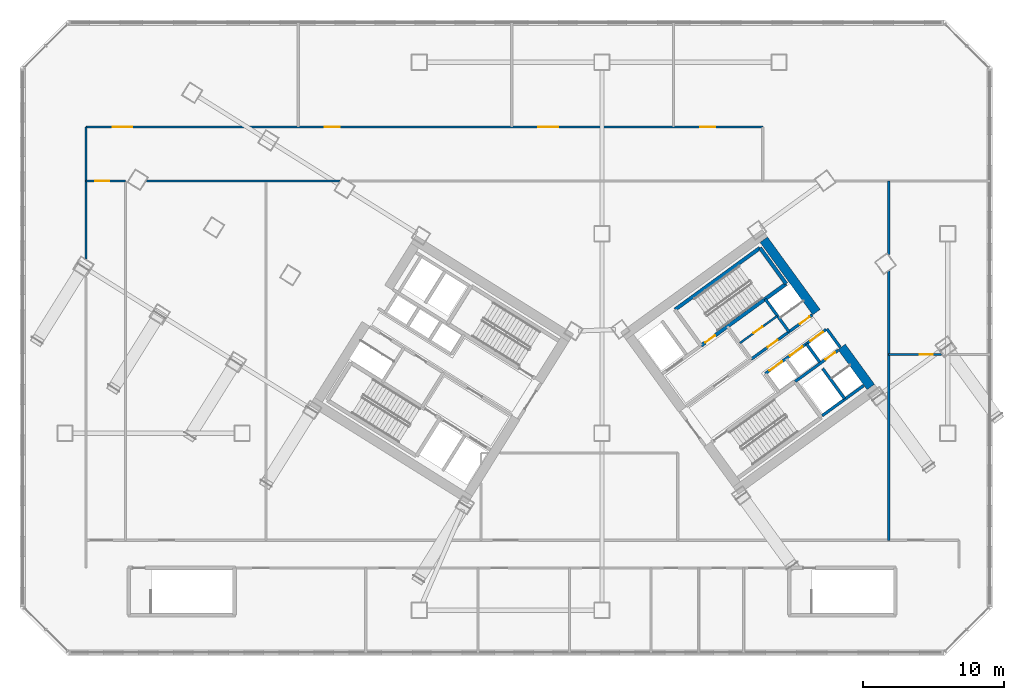
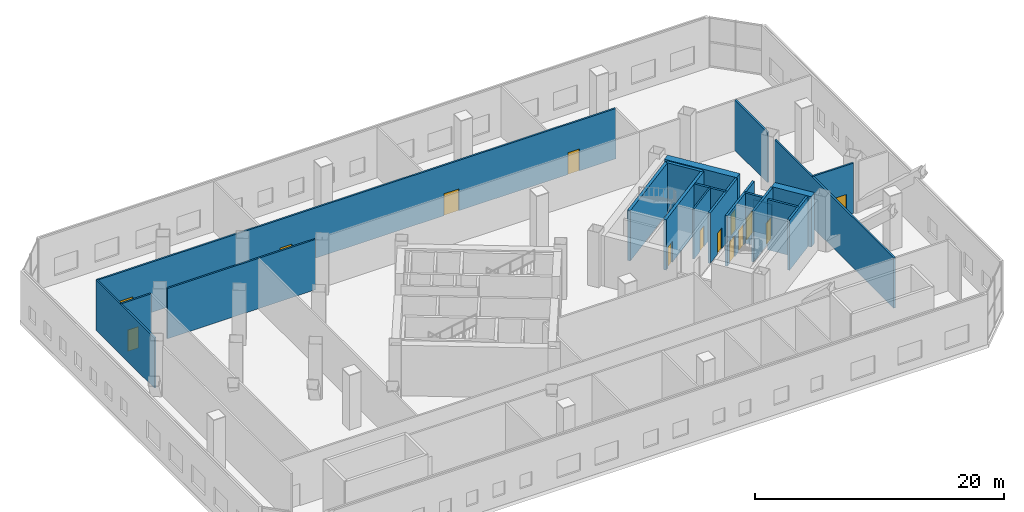
# One storey, part 16 of 23: 21 walls, 14 doors, 14 openings.
"""IFC4 building model written with IfcOpenShell, lengths in metres."""

from ifc_helpers import new_model, si_unit, direction, frame, frame_2d, origin, place, context, subcontext, project, spatial, rectangle, extrude, source, transform, mapped, material, layer, layer_set, type_object, element, fill, save


model = new_model("IFC4")

# Units and contexts
model_context = context("Model", 3, precision=1e-05, world=origin(), true_north=direction((0.0, 1.0)))
body_context = subcontext(model_context, "Body", "Model", "MODEL_VIEW")
ifc_project = project(units=[si_unit("LENGTHUNIT", "METRE"), si_unit("AREAUNIT", "SQUARE_METRE"), si_unit("VOLUMEUNIT", "CUBIC_METRE"), si_unit("PLANEANGLEUNIT", "RADIAN"), si_unit("MASSUNIT", "GRAM", prefix="KILO")], contexts=[model_context])

# Site, building, storey
site_placement = place(None, origin())
site = spatial("IfcSite", under=ifc_project, at=site_placement, CompositionType="ELEMENT")
building_placement = place(site_placement, origin())
building = spatial("IfcBuilding", under=site, at=building_placement, Name="Tlacorven Tower", CompositionType="ELEMENT")
storey_placement = place(building_placement, frame((0.0, 0.0, 18.60009765625)))
storey = spatial("IfcBuildingStorey", under=building, at=storey_placement, Name="L04", CompositionType="ELEMENT", Elevation=18.60009765625)

# Walls
ifc_material_1 = material(Name="Concrete C60/75", Category="concrete")
ifc_layer_1 = layer(ifc_material_1, 0.64990234375)
ifc_layer_set_1 = layer_set([ifc_layer_1], Name="Concrete C60/75")
wall_type_1 = type_object("IfcWallType", Name="WL-COR-650", PredefinedType="SHEAR", material=ifc_layer_set_1)
wall_1_placement = place(storey_placement, frame((61.9287109375, 20.494384765625, 0.0), z_axis=(0.0, 0.0, 1.0), x_axis=(-0.58782982593, 0.808984607855, 0.0)))
element("IfcWall", 1, at=wall_1_placement, inside=storey, type_object=wall_type_1, Name="L04 E core end wall E2.1", PredefinedType="SHEAR", context=body_context, shape_type="SweptSolid", body=[
    extrude(rectangle(XDim=3.52490234375, YDim=0.64990234375, at=frame_2d((1.762451171875, 0.0))), origin(), (0.0, 0.0, 1.0), 4.949951171875),
])
wall_2_placement = place(storey_placement, frame((58.06396484375, 25.8134765625, 0.0), z_axis=(0.0, 0.0, 1.0), x_axis=(-0.58777996584, 0.809020835181, 0.0)))
element("IfcWall", 2, at=wall_2_placement, inside=storey, type_object=wall_type_1, Name="L04 E core end wall E2.2", PredefinedType="SHEAR", context=body_context, shape_type="SweptSolid", body=[
    extrude(rectangle(XDim=6.375, YDim=0.64990234375, at=frame_2d((3.1875, 0.0))), origin(), (0.0, 0.0, 1.0), 4.949951171875),
])
ifc_material_2 = material(Name="Gypsum plasterboard acoustic partition", Category="gypsum")
ifc_layer_2 = layer(ifc_material_2, 0.159912109375)
ifc_layer_set_2 = layer_set([ifc_layer_2], Name="Gypsum plasterboard acoustic partition")
wall_type_2 = type_object("IfcWallType", Name="WL-DEM-160", PredefinedType="PARTITIONING", material=ifc_layer_set_2)
wall_3_placement = place(storey_placement, frame((6.10009765625, 29.58740234375, 0.0), z_axis=(0.0, 0.0, 1.0), x_axis=(0.0, 1.0, 0.0)))
element("IfcWall", 3, at=wall_3_placement, inside=storey, type_object=wall_type_2, Name="L04 partition 73", PredefinedType="PARTITIONING", context=body_context, shape_type="SweptSolid", body=[
    extrude(rectangle(XDim=9.41259765625, YDim=0.159912109375, at=frame_2d((4.706298828125, 0.0))), origin(), (0.0, 0.0, 1.0), 4.93994140625),
])
wall_4_placement = place(storey_placement, frame((10.386474609375, 35.14990234375, 0.0), z_axis=(0.0, 0.0, 1.0), x_axis=(1.0, 0.0, 0.0)))
element("IfcWall", 4, at=wall_4_placement, inside=storey, type_object=wall_type_2, Name="L04 partition 75", PredefinedType="PARTITIONING", context=body_context, shape_type="SweptSolid", body=[
    extrude(rectangle(XDim=13.76806640625, YDim=0.159912109375, at=frame_2d((6.884033203125, 0.0))), origin(), (0.0, 0.0, 1.0), 4.93994140625),
])

# Wall, openings, doors
wall_5_placement = place(storey_placement, frame((6.10009765625, 38.97998046875, 0.0), z_axis=(0.0, 0.0, 1.0), x_axis=(1.0, 0.0, 0.0)))
wall_5 = element("IfcWall", 5, at=wall_5_placement, inside=storey, type_object=wall_type_2, Name="L04 partition 76", PredefinedType="PARTITIONING", context=body_context, shape_type="SweptSolid", body=[
    extrude(rectangle(XDim=48.14990234375, YDim=0.159912109375, at=frame_2d((24.074951171875, 0.0))), origin(), (0.0, 0.0, 1.0), 4.93994140625),
])
opening_1_placement = place(wall_5_placement, frame((1.89990234375, 0.0, 0.0)))
opening_1 = element("IfcOpeningElement", 6, at=opening_1_placement, cuts=wall_5, Name="Opening D16", PredefinedType="OPENING", context=body_context, shape_type="SweptSolid", body=[
    extrude(rectangle(XDim=1.39990234375, YDim=2.14990234375, at=frame_2d((0.699951171875, 1.074951171875))), frame((0.0, 0.08984375, 0.0), z_axis=(0.0, -1.0, 0.0), x_axis=(1.0, 0.0, 0.0)), (0.0, 0.0, 1.0), 0.179931640625),
])
opening_2_placement = place(wall_5_placement, frame((16.97998046875, 0.0, 0.0)))
opening_2 = element("IfcOpeningElement", 7, at=opening_2_placement, cuts=wall_5, Name="Opening D15", PredefinedType="OPENING", context=body_context, shape_type="SweptSolid", body=[
    extrude(rectangle(XDim=1.080078125, YDim=2.14990234375, at=frame_2d((0.5400390625, 1.074951171875))), frame((0.0, 0.08984375, 0.0), z_axis=(0.0, -1.0, 0.0), x_axis=(1.0, 0.0, 0.0)), (0.0, 0.0, 1.0), 0.179931640625),
])
opening_3_placement = place(wall_5_placement, frame((32.179931640625, 0.0, 0.0)))
opening_3 = element("IfcOpeningElement", 8, at=opening_3_placement, cuts=wall_5, Name="Opening D16", PredefinedType="OPENING", context=body_context, shape_type="SweptSolid", body=[
    extrude(rectangle(XDim=1.39990234375, YDim=2.14990234375, at=frame_2d((0.699951171875, 1.074951171875))), frame((0.0, 0.08984375, 0.0), z_axis=(0.0, -1.0, 0.0), x_axis=(1.0, 0.0, 0.0)), (0.0, 0.0, 1.0), 0.179931640625),
])
opening_4_placement = place(wall_5_placement, frame((43.679931640625, 0.0, 0.0)))
opening_4 = element("IfcOpeningElement", 9, at=opening_4_placement, cuts=wall_5, Name="Opening D15", PredefinedType="OPENING", context=body_context, shape_type="SweptSolid", body=[
    extrude(rectangle(XDim=1.080078125, YDim=2.14990234375, at=frame_2d((0.5400390625, 1.074951171875))), frame((0.0, 0.08984375, 0.0), z_axis=(0.0, -1.0, 0.0), x_axis=(1.0, 0.0, 0.0)), (0.0, 0.0, 1.0), 0.179931640625),
])
ifc_material_3 = material(Name="Fire-rated steel door assembly", Category="steel")
door_type_1 = type_object("IfcDoorType", Name="DR-CLN-IMAG-1400", OperationType="DOUBLE_DOOR_SINGLE_SWING", PredefinedType="DOOR", material=ifc_material_3)
shared_shape_1 = source(origin(), body_context, "Body", "SweptSolid", [
    extrude(rectangle(XDim=1.39990234375, YDim=2.14990234375, at=frame_2d((0.699951171875, 1.074951171875))), frame((0.0, 0.02490234375, 0.0), z_axis=(0.0, -1.0, 0.0), x_axis=(1.0, 0.0, 0.0)), (0.0, 0.0, 1.0), 0.050048828125),
])
door_1_placement = place(opening_1_placement, origin())
door_1 = element("IfcDoor", 10, at=door_1_placement, inside=storey, type_object=door_type_1, Name="L04 door 033", OperationType="DOUBLE_DOOR_SINGLE_SWING", OverallHeight=2.14990234375, OverallWidth=1.39990234375, PredefinedType="DOOR", context=body_context, shape_type="MappedRepresentation", body=[
    mapped(shared_shape_1, transform((0.0, 0.0, 0.0), scale=1.0)),
])
fill(opening_1, door_1)
door_2_placement = place(opening_3_placement, origin())
door_2 = element("IfcDoor", 11, at=door_2_placement, inside=storey, type_object=door_type_1, Name="L04 door 035", OperationType="DOUBLE_DOOR_SINGLE_SWING", OverallHeight=2.14990234375, OverallWidth=1.39990234375, PredefinedType="DOOR", context=body_context, shape_type="MappedRepresentation", body=[
    mapped(shared_shape_1, transform((0.0, 0.0, 0.0), scale=1.0)),
])
fill(opening_3, door_2)
door_type_2 = type_object("IfcDoorType", Name="DR-CLN-CONS-1080", OperationType="NOTDEFINED", PredefinedType="DOOR", material=ifc_material_3)
shared_shape_2 = source(origin(), body_context, "Body", "SweptSolid", [
    extrude(rectangle(XDim=1.080078125, YDim=2.14990234375, at=frame_2d((0.5400390625, 1.074951171875))), frame((0.0, 0.02490234375, 0.0), z_axis=(0.0, -1.0, 0.0), x_axis=(1.0, 0.0, 0.0)), (0.0, 0.0, 1.0), 0.050048828125),
])
door_3_placement = place(opening_2_placement, origin())
door_3 = element("IfcDoor", 12, at=door_3_placement, inside=storey, type_object=door_type_2, Name="L04 door 034", OperationType="SINGLE_SWING_RIGHT", OverallHeight=2.14990234375, OverallWidth=1.080078125, PredefinedType="DOOR", context=body_context, shape_type="MappedRepresentation", body=[
    mapped(shared_shape_2, transform((0.0, 0.0, 0.0), scale=1.0)),
])
fill(opening_2, door_3)
door_4_placement = place(opening_4_placement, origin())
door_4 = element("IfcDoor", 13, at=door_4_placement, inside=storey, type_object=door_type_2, Name="L04 door 036", OperationType="SINGLE_SWING_LEFT", OverallHeight=2.14990234375, OverallWidth=1.080078125, PredefinedType="DOOR", context=body_context, shape_type="MappedRepresentation", body=[
    mapped(shared_shape_2, transform((0.0, 0.0, 0.0), scale=1.0)),
])
fill(opening_4, door_4)

# Wall, opening, door
wall_6_placement = place(storey_placement, frame((6.10009765625, 35.14990234375, 0.0), z_axis=(0.0, 0.0, 1.0), x_axis=(1.0, 0.0, 0.0)))
wall_6 = element("IfcWall", 14, at=wall_6_placement, inside=storey, type_object=wall_type_2, Name="L04 partition 78", PredefinedType="PARTITIONING", context=body_context, shape_type="SweptSolid", body=[
    extrude(rectangle(XDim=2.7998046875, YDim=0.159912109375, at=frame_2d((1.39990234375, 0.0))), origin(), (0.0, 0.0, 1.0), 4.93994140625),
])
opening_5_placement = place(wall_6_placement, frame((0.64990234375, 0.0, 0.0)))
opening_5 = element("IfcOpeningElement", 15, at=opening_5_placement, cuts=wall_6, Name="Opening D11", PredefinedType="OPENING", context=body_context, shape_type="SweptSolid", body=[
    extrude(rectangle(XDim=1.0, YDim=2.10009765625, at=frame_2d((0.5, 1.050048828125))), frame((0.0, 0.08984375, 0.0), z_axis=(0.0, -1.0, 0.0), x_axis=(1.0, 0.0, 0.0)), (0.0, 0.0, 1.0), 0.179931640625),
])
door_type_3 = type_object("IfcDoorType", Name="DR-FLT-FD60-1000", OperationType="NOTDEFINED", PredefinedType="DOOR", material=ifc_material_3)
shared_shape_3 = source(origin(), body_context, "Body", "SweptSolid", [
    extrude(rectangle(XDim=1.0, YDim=2.10009765625, at=frame_2d((0.5, 1.050048828125))), frame((0.0, 0.02490234375, 0.0), z_axis=(0.0, -1.0, 0.0), x_axis=(1.0, 0.0, 0.0)), (0.0, 0.0, 1.0), 0.050048828125),
])
door_5_placement = place(opening_5_placement, origin())
door_5 = element("IfcDoor", 16, at=door_5_placement, inside=storey, type_object=door_type_3, Name="L04 door 032", OperationType="SINGLE_SWING_LEFT", OverallHeight=2.10009765625, OverallWidth=1.0, PredefinedType="DOOR", context=body_context, shape_type="MappedRepresentation", body=[
    mapped(shared_shape_3, transform((0.0, 0.0, 0.0), scale=1.0)),
])
fill(opening_5, door_5)

# Walls
wall_7_placement = place(storey_placement, frame((63.199951171875, 9.580078125, 0.0), z_axis=(0.0, 0.0, 1.0), x_axis=(0.0, 1.0, 0.0)))
element("IfcWall", 17, at=wall_7_placement, inside=storey, type_object=wall_type_2, Name="L04 partition 83", PredefinedType="PARTITIONING", context=body_context, shape_type="SweptSolid", body=[
    extrude(rectangle(XDim=19.146728515625, YDim=0.159912109375, at=frame_2d((9.5732421875, 0.0))), origin(), (0.0, 0.0, 1.0), 4.93994140625),
])
wall_8_placement = place(storey_placement, frame((63.199951171875, 29.908447265625, 0.0), z_axis=(0.0, 0.0, 1.0), x_axis=(0.0, 1.0, 0.0)))
element("IfcWall", 18, at=wall_8_placement, inside=storey, type_object=wall_type_2, Name="L04 partition 83", PredefinedType="PARTITIONING", context=body_context, shape_type="SweptSolid", body=[
    extrude(rectangle(XDim=5.241455078125, YDim=0.159912109375, at=frame_2d((2.62060546875, 0.0))), origin(), (0.0, 0.0, 1.0), 4.93994140625),
])

# Wall, opening, door
wall_9_placement = place(storey_placement, frame((63.199951171875, 22.800048828125, 0.0), z_axis=(0.0, 0.0, 1.0), x_axis=(1.0, 0.0, 0.0)))
wall_9 = element("IfcWall", 19, at=wall_9_placement, inside=storey, type_object=wall_type_2, Name="L04 partition 86", PredefinedType="PARTITIONING", context=body_context, shape_type="SweptSolid", body=[
    extrude(rectangle(XDim=3.775390625, YDim=0.159912109375, at=frame_2d((1.8876953125, 0.0))), origin(), (0.0, 0.0, 1.0), 4.93994140625),
])
opening_6_placement = place(wall_9_placement, frame((2.199951171875, 0.0, 0.0)))
opening_6 = element("IfcOpeningElement", 20, at=opening_6_placement, cuts=wall_9, Name="Opening D12", PredefinedType="OPENING", context=body_context, shape_type="SweptSolid", body=[
    extrude(rectangle(XDim=0.919921875, YDim=2.080078125, at=frame_2d((0.4599609375, 1.0400390625))), frame((0.0, 0.08984375, 0.0), z_axis=(0.0, -1.0, 0.0), x_axis=(1.0, 0.0, 0.0)), (0.0, 0.0, 1.0), 0.179931640625),
])
ifc_material_4 = material(Name="Powder-coated aluminium and timber door", Category="wood")
door_type_4 = type_object("IfcDoorType", Name="DR-INT-ROOM-0920", OperationType="NOTDEFINED", PredefinedType="DOOR", material=ifc_material_4)
shared_shape_4 = source(origin(), body_context, "Body", "SweptSolid", [
    extrude(rectangle(XDim=0.919921875, YDim=2.080078125, at=frame_2d((0.4599609375, 1.0400390625))), frame((0.0, 0.02490234375, 0.0), z_axis=(0.0, -1.0, 0.0), x_axis=(1.0, 0.0, 0.0)), (0.0, 0.0, 1.0), 0.050048828125),
])
door_6_placement = place(opening_6_placement, origin())
door_6 = element("IfcDoor", 21, at=door_6_placement, inside=storey, type_object=door_type_4, Name="L04 door 039", OperationType="SINGLE_SWING_LEFT", OverallHeight=2.080078125, OverallWidth=0.919921875, PredefinedType="DOOR", context=body_context, shape_type="MappedRepresentation", body=[
    mapped(shared_shape_4, transform((0.0, 0.0, 0.0), scale=1.0)),
])
fill(opening_6, door_6)

ifc_material_5 = material(Name="Moisture-resistant gypsum plumbing wall", Category="gypsum")
ifc_layer_3 = layer(ifc_material_5, 0.139892578125)
ifc_layer_set_3 = layer_set([ifc_layer_3], Name="Moisture-resistant gypsum plumbing wall")
wall_type_3 = type_object("IfcWallType", Name="WL-PLM-140", PredefinedType="PLUMBINGWALL", material=ifc_layer_set_3)
wall_10_placement = place(storey_placement, frame((52.617919921875, 23.612060546875, 0.0), z_axis=(0.0, 0.0, 1.0), x_axis=(0.809009587469, 0.587795446889, 0.0)))
wall_10 = element("IfcWall", 22, at=wall_10_placement, inside=storey, type_object=wall_type_3, Name="L04 partition 51", PredefinedType="PLUMBINGWALL", context=body_context, shape_type="SweptSolid", body=[
    extrude(rectangle(XDim=3.280029296875, YDim=0.139892578125, at=frame_2d((1.64013671875, 0.0))), origin(), (0.0, 0.0, 1.0), 4.93994140625),
])
opening_7_placement = place(wall_10_placement, frame((1.199951171875, 0.0, 0.0)))
opening_7 = element("IfcOpeningElement", 23, at=opening_7_placement, cuts=wall_10, Name="Opening D22", PredefinedType="OPENING", context=body_context, shape_type="SweptSolid", body=[
    extrude(rectangle(XDim=0.780029296875, YDim=2.050048828125, at=frame_2d((0.39013671875, 1.02490234375))), frame((0.0, 0.080078125, 0.0), z_axis=(0.0, -1.0, 0.0), x_axis=(1.0, 0.0, 0.0)), (0.0, 0.0, 1.0), 0.159912109375),
])
door_type_5 = type_object("IfcDoorType", Name="DR-INT-WET-0780", OperationType="NOTDEFINED", PredefinedType="DOOR", material=ifc_material_4)
shared_shape_5 = source(origin(), body_context, "Body", "SweptSolid", [
    extrude(rectangle(XDim=0.780029296875, YDim=2.050048828125, at=frame_2d((0.39013671875, 1.02490234375))), frame((0.0, 0.02490234375, 0.0), z_axis=(0.0, -1.0, 0.0), x_axis=(1.0, 0.0, 0.0)), (0.0, 0.0, 1.0), 0.050048828125),
])
door_7_placement = place(opening_7_placement, origin())
door_7 = element("IfcDoor", 24, at=door_7_placement, inside=storey, type_object=door_type_5, Name="L04 door 018", OperationType="SINGLE_SWING_LEFT", OverallHeight=2.050048828125, OverallWidth=0.780029296875, PredefinedType="DOOR", context=body_context, shape_type="MappedRepresentation", body=[
    mapped(shared_shape_5, transform((0.0, 0.0, 0.0), scale=1.0)),
])
fill(opening_7, door_7)

ifc_material_6 = material(Name="Concrete C40/50", Category="concrete")
ifc_layer_4 = layer(ifc_material_6, 0.199951171875)
ifc_layer_set_4 = layer_set([ifc_layer_4], Name="Concrete C40/50")
wall_type_4 = type_object("IfcWallType", Name="WL-SHF-200", PredefinedType="STANDARD", material=ifc_layer_set_4)
wall_11_placement = place(storey_placement, frame((56.552978515625, 20.884033203125, 0.0), z_axis=(0.0, 0.0, 1.0), x_axis=(0.809035789462, 0.587759382205, 0.0)))
wall_11 = element("IfcWall", 25, at=wall_11_placement, inside=storey, type_object=wall_type_4, Name="L04 Core E South Lift Shaft Wall", PredefinedType="STANDARD", context=body_context, shape_type="SweptSolid", body=[
    extrude(rectangle(XDim=3.767822265625, YDim=0.199951171875, at=frame_2d((1.8837890625, 0.0))), origin(), (0.0, 0.0, 1.0), 4.93994140625),
])
opening_8_placement = place(wall_11_placement, frame((2.64990234375, 0.0, 0.0)))
opening_8 = element("IfcOpeningElement", 26, at=opening_8_placement, cuts=wall_11, Name="Opening D19", PredefinedType="OPENING", context=body_context, shape_type="SweptSolid", body=[
    extrude(rectangle(XDim=0.860107421875, YDim=2.050048828125, at=frame_2d((0.43017578125, 1.02490234375))), frame((0.0, 0.10986328125, 0.0), z_axis=(0.0, -1.0, 0.0), x_axis=(1.0, 0.0, 0.0)), (0.0, 0.0, 1.0), 0.219970703125),
])
door_type_6 = type_object("IfcDoorType", Name="DR-RSR-FD60-0860", OperationType="NOTDEFINED", PredefinedType="DOOR", material=ifc_material_3)
shared_shape_6 = source(origin(), body_context, "Body", "SweptSolid", [
    extrude(rectangle(XDim=0.860107421875, YDim=2.050048828125, at=frame_2d((0.43017578125, 1.02490234375))), frame((0.0, 0.02490234375, 0.0), z_axis=(0.0, -1.0, 0.0), x_axis=(1.0, 0.0, 0.0)), (0.0, 0.0, 1.0), 0.050048828125),
])
door_8_placement = place(opening_8_placement, origin())
door_8 = element("IfcDoor", 27, at=door_8_placement, inside=storey, type_object=door_type_6, Name="L04 Smoke Extract Riser Access Door", OperationType="SINGLE_SWING_RIGHT", OverallHeight=2.050048828125, OverallWidth=0.860107421875, PredefinedType="DOOR", context=body_context, shape_type="MappedRepresentation", body=[
    mapped(shared_shape_6, transform((0.0, 0.0, 0.0), scale=1.0)),
])
fill(opening_8, door_8)

# Wall, openings, doors
wall_12_placement = place(storey_placement, frame((54.421142578125, 21.436279296875, 0.0), z_axis=(0.0, 0.0, 1.0), x_axis=(0.809013710463, 0.587789772183, 0.0)))
wall_12 = element("IfcWall", 28, at=wall_12_placement, inside=storey, type_object=wall_type_4, Name="L04 partition 36", PredefinedType="STANDARD", context=body_context, shape_type="SweptSolid", body=[
    extrude(rectangle(XDim=5.360107421875, YDim=0.199951171875, at=frame_2d((2.68017578125, 0.0))), origin(), (0.0, 0.0, 1.0), 4.93994140625),
])
opening_9_placement = place(wall_12_placement, frame((0.3701171875, 0.0, 0.0)))
opening_9 = element("IfcOpeningElement", 29, at=opening_9_placement, cuts=wall_12, Name="Opening LD01", PredefinedType="OPENING", context=body_context, shape_type="SweptSolid", body=[
    extrude(rectangle(XDim=1.10009765625, YDim=2.14990234375, at=frame_2d((0.550048828125, 1.074951171875))), frame((0.0, 0.10986328125, 0.0), z_axis=(0.0, -1.0, 0.0), x_axis=(1.0, 0.0, 0.0)), (0.0, 0.0, 1.0), 0.219970703125),
])
opening_10_placement = place(wall_12_placement, frame((2.169921875, 0.0, 0.0)))
opening_10 = element("IfcOpeningElement", 30, at=opening_10_placement, cuts=wall_12, Name="Opening LD01", PredefinedType="OPENING", context=body_context, shape_type="SweptSolid", body=[
    extrude(rectangle(XDim=1.10009765625, YDim=2.14990234375, at=frame_2d((0.550048828125, 1.074951171875))), frame((0.0, 0.10986328125, 0.0), z_axis=(0.0, -1.0, 0.0), x_axis=(1.0, 0.0, 0.0)), (0.0, 0.0, 1.0), 0.219970703125),
])
opening_11_placement = place(wall_12_placement, frame((3.969970703125, 0.0, 0.0)))
opening_11 = element("IfcOpeningElement", 31, at=opening_11_placement, cuts=wall_12, Name="Opening LD01", PredefinedType="OPENING", context=body_context, shape_type="SweptSolid", body=[
    extrude(rectangle(XDim=1.10009765625, YDim=2.14990234375, at=frame_2d((0.550048828125, 1.074951171875))), frame((0.0, 0.10986328125, 0.0), z_axis=(0.0, -1.0, 0.0), x_axis=(1.0, 0.0, 0.0)), (0.0, 0.0, 1.0), 0.219970703125),
])
door_type_7 = type_object("IfcDoorType", Name="DR-LFT-SLID-1100", OperationType="DOUBLE_DOOR_SLIDING", PredefinedType="DOOR", material=ifc_material_3)
shared_shape_7 = source(origin(), body_context, "Body", "SweptSolid", [
    extrude(rectangle(XDim=1.10009765625, YDim=2.14990234375, at=frame_2d((0.550048828125, 1.074951171875))), frame((0.0, 0.02490234375, 0.0), z_axis=(0.0, -1.0, 0.0), x_axis=(1.0, 0.0, 0.0)), (0.0, 0.0, 1.0), 0.050048828125),
])
door_9_placement = place(opening_9_placement, origin())
door_9 = element("IfcDoor", 32, at=door_9_placement, inside=storey, type_object=door_type_7, Name="L04 Lift PL-L1 Sliding Landing Door", OperationType="DOUBLE_DOOR_SLIDING", OverallHeight=2.14990234375, OverallWidth=1.10009765625, PredefinedType="DOOR", context=body_context, shape_type="MappedRepresentation", body=[
    mapped(shared_shape_7, transform((0.0, 0.0, 0.0), scale=1.0)),
])
fill(opening_9, door_9)
door_10_placement = place(opening_10_placement, origin())
door_10 = element("IfcDoor", 33, at=door_10_placement, inside=storey, type_object=door_type_7, Name="L04 Lift PL-L2 Sliding Landing Door", OperationType="DOUBLE_DOOR_SLIDING", OverallHeight=2.14990234375, OverallWidth=1.10009765625, PredefinedType="DOOR", context=body_context, shape_type="MappedRepresentation", body=[
    mapped(shared_shape_7, transform((0.0, 0.0, 0.0), scale=1.0)),
])
fill(opening_10, door_10)
door_11_placement = place(opening_11_placement, origin())
door_11 = element("IfcDoor", 34, at=door_11_placement, inside=storey, type_object=door_type_7, Name="L04 Lift PL-L3 Sliding Landing Door", OperationType="DOUBLE_DOOR_SLIDING", OverallHeight=2.14990234375, OverallWidth=1.10009765625, PredefinedType="DOOR", context=body_context, shape_type="MappedRepresentation", body=[
    mapped(shared_shape_7, transform((0.0, 0.0, 0.0), scale=1.0)),
])
fill(opening_11, door_11)

# Walls
wall_13_placement = place(storey_placement, frame((58.290283203125, 22.269775390625, 0.0), z_axis=(0.0, 0.0, 1.0), x_axis=(-0.587840865826, 0.808976585857, 0.0)))
element("IfcWall", 35, at=wall_13_placement, inside=storey, type_object=wall_type_4, Name="L04 partition 40", PredefinedType="STANDARD", context=body_context, shape_type="SweptSolid", body=[
    extrude(rectangle(XDim=1.579833984375, YDim=0.199951171875, at=frame_2d((0.7900390625, 0.0))), origin(), (0.0, 0.0, 1.0), 4.93994140625),
])
wall_14_placement = place(storey_placement, frame((59.75830078125, 23.3115234375, 0.0), z_axis=(0.0, 0.0, 1.0), x_axis=(-0.587875962906, 0.808951081486, 0.0)))
element("IfcWall", 36, at=wall_14_placement, inside=storey, type_object=wall_type_4, Name="L04 partition 41", PredefinedType="STANDARD", context=body_context, shape_type="SweptSolid", body=[
    extrude(rectangle(XDim=1.6201171875, YDim=0.199951171875, at=frame_2d((0.81005859375, 0.0))), origin(), (0.0, 0.0, 1.0), 3.125),
])
wall_15_placement = place(storey_placement, frame((60.066650390625, 19.654541015625, 0.0), z_axis=(0.0, 0.0, 1.0), x_axis=(-0.587800520745, 0.809005900975, 0.0)))
element("IfcWall", 37, at=wall_15_placement, inside=storey, type_object=wall_type_4, Name="L04 partition 42", PredefinedType="STANDARD", context=body_context, shape_type="SweptSolid", body=[
    extrude(rectangle(XDim=2.659912109375, YDim=0.199951171875, at=frame_2d((1.330078125, 0.0))), origin(), (0.0, 0.0, 1.0), 4.93994140625),
])
wall_16_placement = place(storey_placement, frame((58.47216796875, 18.446533203125, 0.0), z_axis=(0.0, 0.0, 1.0), x_axis=(0.809022487728, 0.587777691266, 0.0)))
element("IfcWall", 38, at=wall_16_placement, inside=storey, type_object=wall_type_4, Name="L04 partition 44", PredefinedType="STANDARD", context=body_context, shape_type="SweptSolid", body=[
    extrude(rectangle(XDim=3.648193359375, YDim=0.199951171875, at=frame_2d((1.82421875, 0.0))), origin(), (0.0, 0.0, 1.0), 4.93994140625),
])
wall_17_placement = place(storey_placement, frame((56.110595703125, 24.4189453125, 0.0), z_axis=(0.0, 0.0, 1.0), x_axis=(-0.58777848983, 0.809021907548, 0.0)))
element("IfcWall", 39, at=wall_17_placement, inside=storey, type_object=wall_type_4, Name="L04 partition 47", PredefinedType="STANDARD", context=body_context, shape_type="SweptSolid", body=[
    extrude(rectangle(XDim=2.880126953125, YDim=0.199951171875, at=frame_2d((1.43994140625, 0.0))), origin(), (0.0, 0.0, 1.0), 4.93994140625),
])

# Wall, openings, doors
wall_18_placement = place(storey_placement, frame((53.424560546875, 22.467529296875, 0.0), z_axis=(0.0, 0.0, 1.0), x_axis=(0.80902705128, 0.587771409902, 0.0)))
wall_18 = element("IfcWall", 40, at=wall_18_placement, inside=storey, type_object=wall_type_4, Name="L04 Core E North Service Wall", PredefinedType="STANDARD", context=body_context, shape_type="SweptSolid", body=[
    extrude(rectangle(XDim=5.3681640625, YDim=0.199951171875, at=frame_2d((2.68408203125, 0.0))), origin(), (0.0, 0.0, 1.0), 4.93994140625),
])
opening_12_placement = place(wall_18_placement, frame((4.280029296875, 0.0, 0.0)))
opening_12 = element("IfcOpeningElement", 41, at=opening_12_placement, cuts=wall_18, Name="Opening D19", PredefinedType="OPENING", context=body_context, shape_type="SweptSolid", body=[
    extrude(rectangle(XDim=0.860107421875, YDim=2.050048828125, at=frame_2d((0.43017578125, 1.02490234375))), frame((0.0, 0.10986328125, 0.0), z_axis=(0.0, -1.0, 0.0), x_axis=(1.0, 0.0, 0.0)), (0.0, 0.0, 1.0), 0.219970703125),
])
opening_13_placement = place(wall_18_placement, frame((1.449951171875, 0.0, 0.0)))
opening_13 = element("IfcOpeningElement", 42, at=opening_13_placement, cuts=wall_18, Name="Opening D19", PredefinedType="OPENING", context=body_context, shape_type="SweptSolid", body=[
    extrude(rectangle(XDim=0.860107421875, YDim=2.050048828125, at=frame_2d((0.43017578125, 1.02490234375))), frame((0.0, 0.10986328125, 0.0), z_axis=(0.0, -1.0, 0.0), x_axis=(1.0, 0.0, 0.0)), (0.0, 0.0, 1.0), 0.219970703125),
])
door_12_placement = place(opening_12_placement, frame((0.860107421875, 0.0, 0.0), z_axis=(0.0, 0.0, 1.0), x_axis=(-1.0, 0.0, 0.0)))
door_12 = element("IfcDoor", 43, at=door_12_placement, inside=storey, type_object=door_type_6, Name="L04 Electrical Riser Access Door E", OperationType="SINGLE_SWING_LEFT", OverallHeight=2.050048828125, OverallWidth=0.860107421875, PredefinedType="DOOR", context=body_context, shape_type="MappedRepresentation", body=[
    mapped(shared_shape_6, transform((0.0, 0.0, 0.0), scale=1.0)),
])
fill(opening_12, door_12)
door_13_placement = place(opening_13_placement, frame((0.860107421875, 0.0, 0.0), z_axis=(0.0, 0.0, 1.0), x_axis=(-1.0, 0.0, 0.0)))
door_13 = element("IfcDoor", 44, at=door_13_placement, inside=storey, type_object=door_type_6, Name="L04 Cleaner Store Access Door E", OperationType="SINGLE_SWING_RIGHT", OverallHeight=2.050048828125, OverallWidth=0.860107421875, PredefinedType="DOOR", context=body_context, shape_type="MappedRepresentation", body=[
    mapped(shared_shape_6, transform((0.0, 0.0, 0.0), scale=1.0)),
])
fill(opening_13, door_13)

# Wall
ifc_material_7 = material(Name="Concrete C50/60", Category="concrete")
ifc_layer_5 = layer(ifc_material_7, 0.260009765625)
ifc_layer_set_5 = layer_set([ifc_layer_5], Name="Concrete C50/60")
wall_type_5 = type_object("IfcWallType", Name="WL-STW-260", PredefinedType="SHEAR", material=ifc_layer_set_5)
wall_19_placement = place(storey_placement, frame((48.005615234375, 25.996337890625, 0.0), z_axis=(0.0, 0.0, 1.0), x_axis=(0.80901903764, 0.587782439969, 0.0)))
element("IfcWall", 45, at=wall_19_placement, inside=storey, type_object=wall_type_5, Name="L04 Stair E1 Far Shear Wall", PredefinedType="SHEAR", context=body_context, shape_type="SweptSolid", body=[
    extrude(rectangle(XDim=7.4599609375, YDim=0.260009765625, at=frame_2d((3.72998046875, 0.0))), origin(), (0.0, 0.0, 1.0), 4.949951171875),
])

# Wall, opening, door
wall_20_placement = place(storey_placement, frame((49.863037109375, 23.439697265625, 0.0), z_axis=(0.0, 0.0, 1.0), x_axis=(0.809003474932, 0.587803859759, 0.0)))
wall_20 = element("IfcWall", 46, at=wall_20_placement, inside=storey, type_object=wall_type_5, Name="L04 Stair E1 Lobby Shear Wall", PredefinedType="SHEAR", context=body_context, shape_type="SweptSolid", body=[
    extrude(rectangle(XDim=7.4599609375, YDim=0.260009765625, at=frame_2d((3.72998046875, 0.0))), origin(), (0.0, 0.0, 1.0), 4.949951171875),
])
opening_14_placement = place(wall_20_placement, frame((0.360107421875, 0.0, 0.0)))
opening_14 = element("IfcOpeningElement", 47, at=opening_14_placement, cuts=wall_20, Name="Opening D19", PredefinedType="OPENING", context=body_context, shape_type="SweptSolid", body=[
    extrude(rectangle(XDim=0.860107421875, YDim=2.050048828125, at=frame_2d((0.43017578125, 1.02490234375))), frame((0.0, 0.14013671875, 0.0), z_axis=(0.0, -1.0, 0.0), x_axis=(1.0, 0.0, 0.0)), (0.0, 0.0, 1.0), 0.280029296875),
])
door_14_placement = place(opening_14_placement, frame((0.860107421875, 0.0, 0.0), z_axis=(0.0, 0.0, 1.0), x_axis=(-1.0, 0.0, 0.0)))
door_14 = element("IfcDoor", 48, at=door_14_placement, inside=storey, type_object=door_type_6, Name="L04 Exit Stair E1 Fire Door", OperationType="SINGLE_SWING_LEFT", OverallHeight=2.050048828125, OverallWidth=0.860107421875, PredefinedType="DOOR", context=body_context, shape_type="MappedRepresentation", body=[
    mapped(shared_shape_6, transform((0.0, 0.0, 0.0), scale=1.0)),
])
fill(opening_14, door_14)

# Wall
wall_21_placement = place(storey_placement, frame((55.906494140625, 27.83056640625, 0.0), z_axis=(0.0, 0.0, 1.0), x_axis=(-0.587804123638, 0.809003283204, 0.0)))
element("IfcWall", 49, at=wall_21_placement, inside=storey, type_object=wall_type_5, Name="L04 Stair E1 East Shear Wall", PredefinedType="SHEAR", context=body_context, shape_type="SweptSolid", body=[
    extrude(rectangle(XDim=3.159912109375, YDim=0.260009765625, at=frame_2d((1.580078125, 0.0))), origin(), (0.0, 0.0, 1.0), 4.949951171875),
])

save(model, "model.ifc")
